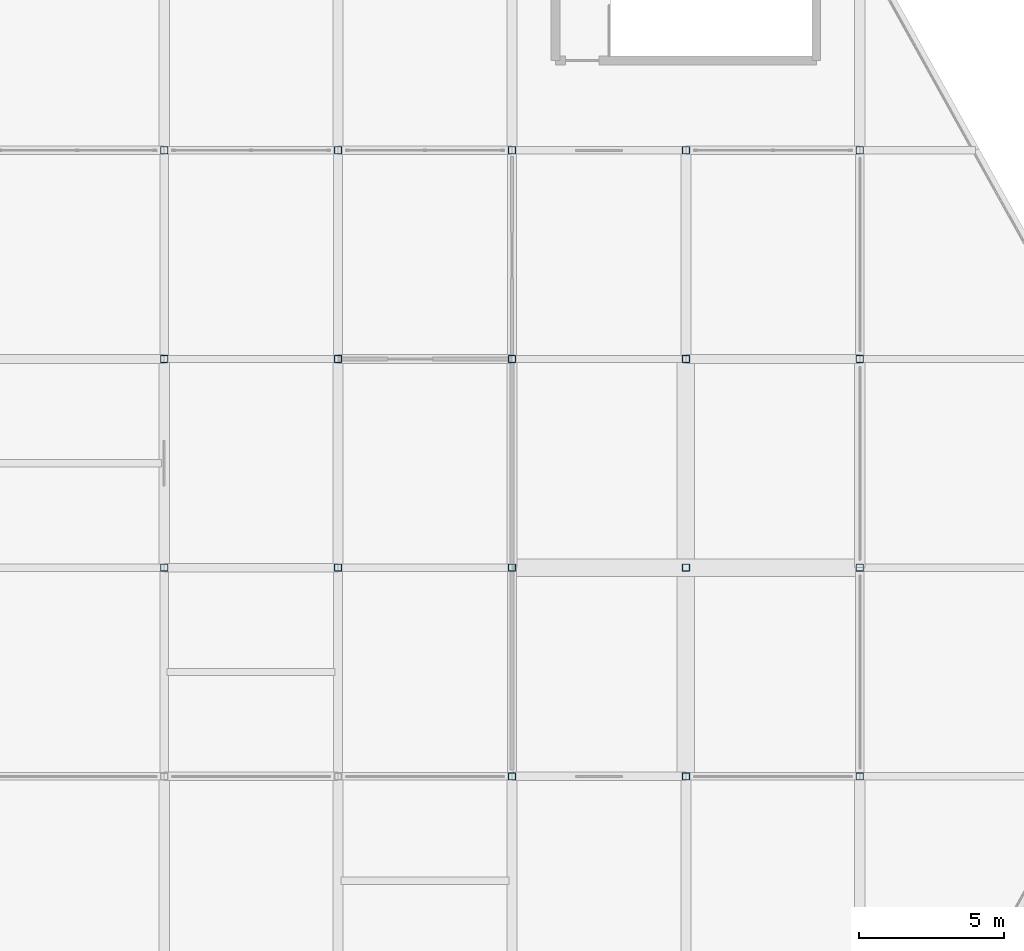
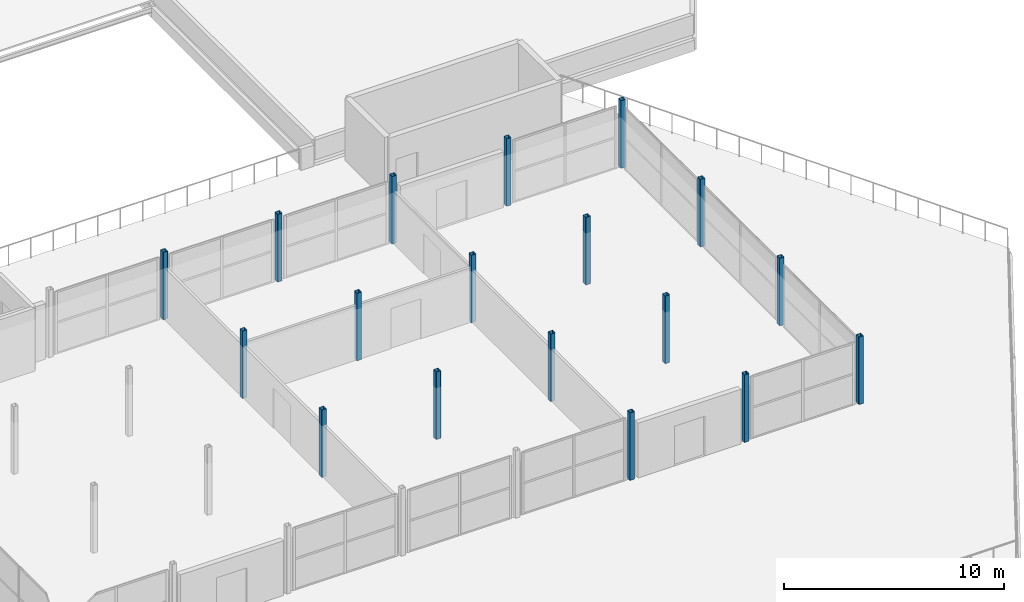
# One storey, part 3 of 239: 18 columns.
"""IFC4 building model written with IfcOpenShell, lengths in metres."""

from ifc_helpers import new_model, si_unit, direction, frame, origin, origin_2d, place, context, subcontext, project, spatial, hollow_rectangle, extrude, material, material_profile, profile_set, type_object, element, save


model = new_model("IFC4")

# Units and contexts
model_context = context("Model", 3, precision=1e-05, world=origin(), true_north=direction((0.0, 1.0)))
body_context = subcontext(model_context, "Body", "Model", "MODEL_VIEW")
ifc_project = project(units=[si_unit("LENGTHUNIT", "METRE"), si_unit("AREAUNIT", "SQUARE_METRE"), si_unit("VOLUMEUNIT", "CUBIC_METRE"), si_unit("PLANEANGLEUNIT", "RADIAN"), si_unit("MASSUNIT", "GRAM", prefix="KILO")], contexts=[model_context])

# Site, building, storey
site_placement = place(None, origin())
site = spatial("IfcSite", under=ifc_project, at=site_placement, CompositionType="ELEMENT")
building_placement = place(site_placement, origin())
building = spatial("IfcBuilding", under=site, at=building_placement, Name="Dunvalen Ferry Terminal", CompositionType="ELEMENT")
storey_placement = place(building_placement, frame((0.0, 0.0, 9.840087890625)))
storey = spatial("IfcBuildingStorey", under=building, at=storey_placement, Name="L02", CompositionType="ELEMENT", Elevation=9.840087890625)

# Columns
ifc_material = material(Name="Steel S355", Category="steel")
ifc_material_profile = material_profile(ifc_material, hollow_rectangle(XDim=0.25, YDim=0.25, WallThickness=0.010009765625, InnerFilletRadius=0.010009765625, OuterFilletRadius=0.02001953125, at=origin_2d()), Name="Steel S355")
ifc_profile_set = profile_set([ifc_material_profile], Name="Steel S355")
column_type = type_object("IfcColumnType", Name="STR-COL-SHS250", PredefinedType="COLUMN", material=ifc_profile_set)
for number, where, z_axis, x_axis, name in (
    (1, (132.0, 21.60009765625, 0.0), (0.0, 0.0, 1.0), (1.0, 0.0, 0.0), "L02 Promenade Pavilion Column 132-21"),
    (2, (132.0, 28.800048828125, 0.0), (0.0, 0.0, 1.0), (1.0, 0.0, 0.0), "L02 Promenade Pavilion Column 132-28"),
    (3, (132.0, 36.0, 0.0), (0.0, 0.0, 1.0), (1.0, 0.0, 0.0), "L02 Promenade Pavilion Column 132-36"),
    (4, (138.0, 21.60009765625, 0.0), (0.0, 0.0, 1.0), (1.0, 0.0, 0.0), "L02 Promenade Pavilion Column 138-21"),
    (5, (138.0, 28.800048828125, 0.0), (0.0, 0.0, 1.0), (1.0, 0.0, 0.0), "L02 Promenade Pavilion Column 138-28"),
    (6, (138.0, 36.0, 0.0), (0.0, 0.0, 1.0), (1.0, 0.0, 0.0), "L02 Promenade Pavilion Column 138-36"),
    (7, (144.0, 14.39990234375, 0.0), (0.0, 0.0, 1.0), (1.0, 0.0, 0.0), "L02 Promenade Pavilion Column 144-14"),
    (8, (144.0, 21.60009765625, 0.0), (0.0, 0.0, 1.0), (1.0, 0.0, 0.0), "L02 Promenade Pavilion Column 144-21"),
    (9, (144.0, 28.800048828125, 0.0), (0.0, 0.0, 1.0), (1.0, 0.0, 0.0), "L02 Promenade Pavilion Column 144-28"),
    (10, (144.0, 36.0, 0.0), (0.0, 0.0, 1.0), (1.0, 0.0, 0.0), "L02 Promenade Pavilion Column 144-36"),
    (11, (150.0, 14.39990234375, 0.0), (0.0, 0.0, 1.0), (1.0, 0.0, 0.0), "L02 Promenade Pavilion Column 150-14"),
    (12, (150.0, 28.800048828125, 0.0), (0.0, 0.0, 1.0), (1.0, 0.0, 0.0), "L02 Promenade Pavilion Column 150-28"),
    (13, (150.0, 36.0, 0.0), (0.0, 0.0, 1.0), (1.0, 0.0, 0.0), "L02 Promenade Pavilion Column 150-36"),
    (14, (156.0, 14.39990234375, 0.0), (0.0, 0.0, 1.0), (1.0, 0.0, 0.0), "L02 Promenade Pavilion Column 156-14"),
    (15, (156.0, 21.60009765625, 0.0), (0.0, 0.0, 1.0), (1.0, 0.0, 0.0), "L02 Promenade Pavilion Column 156-21"),
    (16, (156.0, 28.800048828125, 0.0), (0.0, 0.0, 1.0), (1.0, 0.0, 0.0), "L02 Promenade Pavilion Column 156-28"),
    (17, (156.0, 36.0, 0.0), (0.0, 0.0, 1.0), (1.0, 0.0, 0.0), "L02 Promenade Pavilion Column 156-36"),
    (18, (150.0, 21.60009765625, 0.0), (0.0, 0.0, 1.0), (1.0, 0.0, 0.0), "L02 Promenade Pavilion Column 150-21"),
):
    element("IfcColumn", number, at=place(storey_placement, frame(where, z_axis=z_axis, x_axis=x_axis)), inside=storey, type_object=column_type, Name=name, PredefinedType="COLUMN", context=body_context, shape_type="SweptSolid", body=[
        extrude(hollow_rectangle(XDim=0.25, YDim=0.25, WallThickness=0.010009765625, InnerFilletRadius=0.010009765625, OuterFilletRadius=0.02001953125, at=origin_2d()), origin(), (0.0, 0.0, 1.0), 3.739990234375),
    ])

save(model, "model.ifc")
